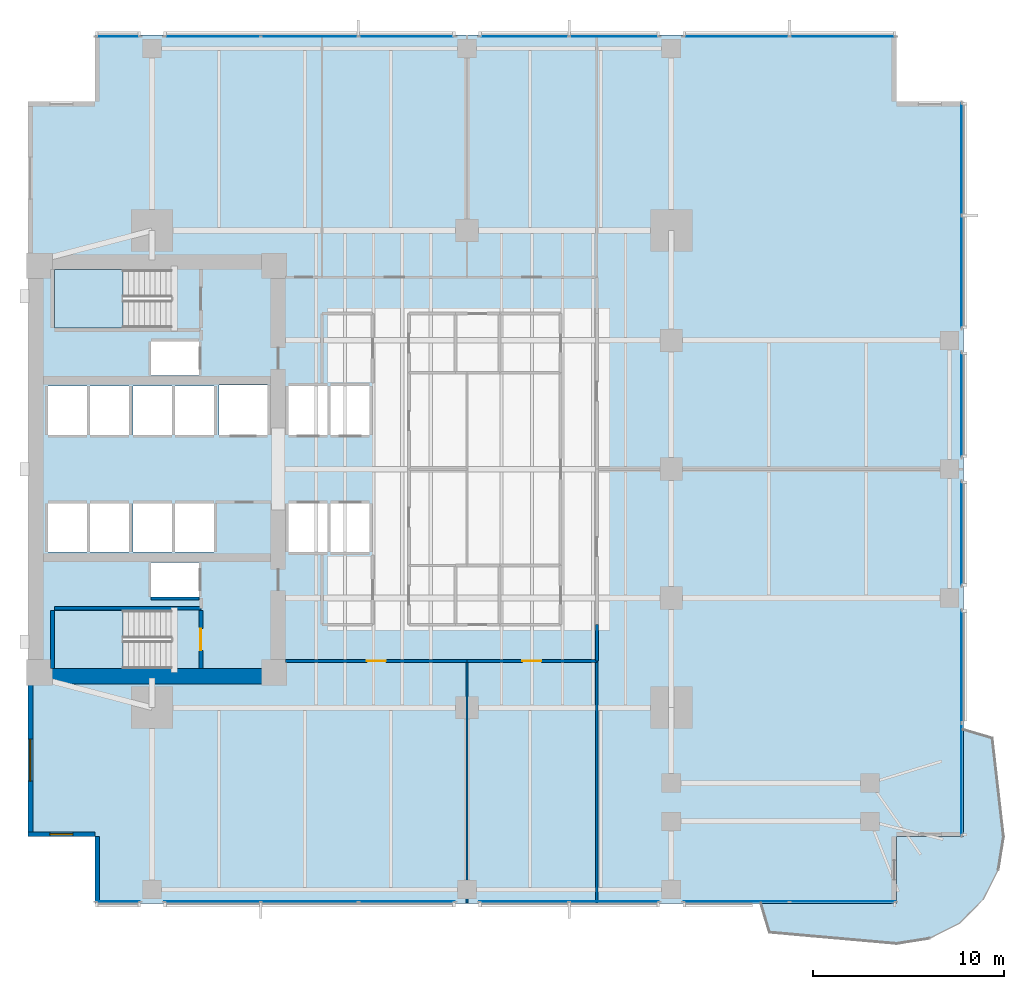
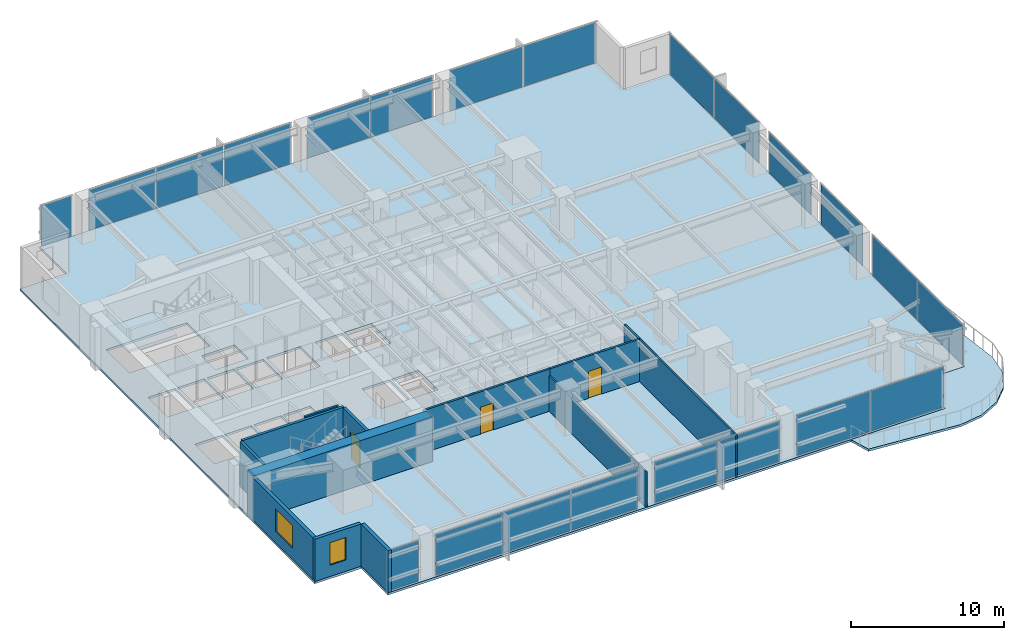
# One storey, part 7 of 15: 22 plates, 13 walls, 4 slabs, 3 doors, 2 windows, 5 openings, 14 elements without a shape of their own.
"""IFC4 building model written with IfcOpenShell, lengths in metres."""

from ifc_helpers import new_model, si_unit, direction, frame, frame_2d, origin, origin_2d, place, context, subcontext, project, spatial, polyline, rectangle, outline, extrude, material, layer, layer_set, type_object, element, fill, aggregate, save


model = new_model("IFC4")

# Units and contexts
model_context = context("Model", 3, precision=1e-05, world=origin(), true_north=direction((0.0, 1.0)))
body_context = subcontext(model_context, "Body", "Model", "MODEL_VIEW")
ifc_project = project(units=[si_unit("LENGTHUNIT", "METRE"), si_unit("AREAUNIT", "SQUARE_METRE"), si_unit("VOLUMEUNIT", "CUBIC_METRE"), si_unit("PLANEANGLEUNIT", "RADIAN"), si_unit("MASSUNIT", "GRAM", prefix="KILO")], contexts=[model_context])

# Site, building, storey
site_placement = place(None, origin())
site = spatial("IfcSite", under=ifc_project, at=site_placement, CompositionType="ELEMENT")
building_placement = place(site_placement, origin())
building = spatial("IfcBuilding", under=site, at=building_placement, Name="Kinhvarn Gate Tower", CompositionType="ELEMENT")
storey_placement = place(building_placement, frame((0.0, 0.0, 39.800048828125)))
storey = spatial("IfcBuildingStorey", under=building, at=storey_placement, Name="L09", CompositionType="ELEMENT", Elevation=39.800048828125)

# Curtain wall, plate
ifc_material_1 = material(Name="Anodised aluminium AW-6063", Category="aluminium")
ifc_layer_1 = layer(ifc_material_1, 0.179931640625)
ifc_layer_set_1 = layer_set([ifc_layer_1], Name="Anodised aluminium AW-6063")
curtain_wall_type = type_object("IfcCurtainWallType", Name="CW-SYS-2", PredefinedType="NOTDEFINED", material=ifc_layer_set_1)
curtain_wall_1_placement = place(storey_placement, origin())
curtain_wall_1 = element("IfcCurtainWall", 1, at=curtain_wall_1_placement, inside=storey, type_object=curtain_wall_type, Name="Curtain Wall CW2 (L09)", PredefinedType="NOTDEFINED")
ifc_material_2 = material(Name="Clear low-e double glazing", Category="glass")
ifc_layer_2 = layer(ifc_material_2, 0.031982421875)
ifc_layer_set_2 = layer_set([ifc_layer_2], Name="Clear low-e double glazing")
plate_type = type_object("IfcPlateType", Name="CW-PNL-VIS", PredefinedType="CURTAIN_PANEL", material=ifc_layer_set_2)
plate_1_placement = place(storey_placement, frame((9.2099609375, 2.590087890625, 0.070068359375), z_axis=(0.0, 0.0, 1.0), x_axis=(1.0, 0.0, 0.0)))
plate_1 = element("IfcPlate", 2, at=plate_1_placement, type_object=plate_type, Name="CW2 panel 1.1", PredefinedType="CURTAIN_PANEL", context=body_context, shape_type="SweptSolid", body=[
    extrude(rectangle(XDim=2.280029296875, YDim=0.031982421875, at=origin_2d()), origin(), (0.0, 0.0, 1.0), 3.22998046875),
])
aggregate(curtain_wall_1, [plate_1])

# Curtain wall, plates
curtain_wall_2_placement = place(storey_placement, origin())
curtain_wall_2 = element("IfcCurtainWall", 3, at=curtain_wall_2_placement, inside=storey, type_object=curtain_wall_type, Name="Curtain Wall CW2 (L09)", PredefinedType="NOTDEFINED")
plate_2_placement = place(storey_placement, frame((14.154052734375, 2.590087890625, 0.070068359375), z_axis=(0.0, 0.0, 1.0), x_axis=(1.0, 0.0, 0.0)))
plate_2 = element("IfcPlate", 4, at=plate_2_placement, type_object=plate_type, Name="CW2 panel 1.1", PredefinedType="CURTAIN_PANEL", context=body_context, shape_type="SweptSolid", body=[
    extrude(rectangle(XDim=5.00830078125, YDim=0.031982421875, at=origin_2d()), origin(), (0.0, 0.0, 1.0), 3.22998046875),
])
plate_3_placement = place(storey_placement, frame((19.25, 2.590087890625, 0.070068359375), z_axis=(0.0, 0.0, 1.0), x_axis=(1.0, 0.0, 0.0)))
plate_3 = element("IfcPlate", 5, at=plate_3_placement, type_object=plate_type, Name="CW2 panel 2.1", PredefinedType="CURTAIN_PANEL", context=body_context, shape_type="SweptSolid", body=[
    extrude(rectangle(XDim=5.043212890625, YDim=0.031982421875, at=origin_2d()), origin(), (0.0, 0.0, 1.0), 3.22998046875),
])
plate_4_placement = place(storey_placement, frame((24.345947265625, 2.590087890625, 0.070068359375), z_axis=(0.0, 0.0, 1.0), x_axis=(1.0, 0.0, 0.0)))
plate_4 = element("IfcPlate", 6, at=plate_4_placement, type_object=plate_type, Name="CW2 panel 3.1", PredefinedType="CURTAIN_PANEL", context=body_context, shape_type="SweptSolid", body=[
    extrude(rectangle(XDim=5.00830078125, YDim=0.031982421875, at=origin_2d()), origin(), (0.0, 0.0, 1.0), 3.22998046875),
])
aggregate(curtain_wall_2, [plate_2, plate_3, plate_4])

curtain_wall_3_placement = place(storey_placement, origin())
curtain_wall_3 = element("IfcCurtainWall", 7, at=curtain_wall_3_placement, inside=storey, type_object=curtain_wall_type, Name="Curtain Wall CW2 (L09)", PredefinedType="NOTDEFINED")
plate_5_placement = place(storey_placement, frame((30.482421875, 2.590087890625, 0.070068359375), z_axis=(0.0, 0.0, 1.0), x_axis=(1.0, 0.0, 0.0)))
plate_5 = element("IfcPlate", 8, at=plate_5_placement, type_object=plate_type, Name="CW2 panel 1.1", PredefinedType="CURTAIN_PANEL", context=body_context, shape_type="SweptSolid", body=[
    extrude(rectangle(XDim=4.6650390625, YDim=0.031982421875, at=origin_2d()), origin(), (0.0, 0.0, 1.0), 3.22998046875),
])
plate_6_placement = place(storey_placement, frame((35.217529296875, 2.590087890625, 0.070068359375), z_axis=(0.0, 0.0, 1.0), x_axis=(1.0, 0.0, 0.0)))
plate_6 = element("IfcPlate", 9, at=plate_6_placement, type_object=plate_type, Name="CW2 panel 2.1", PredefinedType="CURTAIN_PANEL", context=body_context, shape_type="SweptSolid", body=[
    extrude(rectangle(XDim=4.6650390625, YDim=0.031982421875, at=origin_2d()), origin(), (0.0, 0.0, 1.0), 3.22998046875),
])
aggregate(curtain_wall_3, [plate_5, plate_6])

curtain_wall_4_placement = place(storey_placement, origin())
curtain_wall_4 = element("IfcCurtainWall", 10, at=curtain_wall_4_placement, inside=storey, type_object=curtain_wall_type, Name="Curtain Wall CW2 (L09)", PredefinedType="NOTDEFINED")
plate_7_placement = place(storey_placement, frame((41.6025390625, 2.590087890625, 0.070068359375), z_axis=(0.0, 0.0, 1.0), x_axis=(1.0, 0.0, 0.0)))
plate_7 = element("IfcPlate", 11, at=plate_7_placement, type_object=plate_type, Name="CW2 panel 1.1", PredefinedType="CURTAIN_PANEL", context=body_context, shape_type="SweptSolid", body=[
    extrude(rectangle(XDim=5.5048828125, YDim=0.031982421875, at=origin_2d()), origin(), (0.0, 0.0, 1.0), 3.22998046875),
])
plate_8_placement = place(storey_placement, frame((47.177490234375, 2.590087890625, 0.070068359375), z_axis=(0.0, 0.0, 1.0), x_axis=(1.0, 0.0, 0.0)))
plate_8 = element("IfcPlate", 12, at=plate_8_placement, type_object=plate_type, Name="CW2 panel 2.1", PredefinedType="CURTAIN_PANEL", context=body_context, shape_type="SweptSolid", body=[
    extrude(rectangle(XDim=5.5048828125, YDim=0.031982421875, at=origin_2d()), origin(), (0.0, 0.0, 1.0), 3.22998046875),
])
aggregate(curtain_wall_4, [plate_7, plate_8])

curtain_wall_5_placement = place(storey_placement, origin())
curtain_wall_5 = element("IfcCurtainWall", 13, at=curtain_wall_5_placement, inside=storey, type_object=curtain_wall_type, Name="Curtain Wall CW2 (L09)", PredefinedType="NOTDEFINED")
plate_9_placement = place(storey_placement, frame((47.177490234375, 47.909912109375, 0.070068359375), z_axis=(0.0, 0.0, 1.0), x_axis=(-1.0, 0.0, 0.0)))
plate_9 = element("IfcPlate", 14, at=plate_9_placement, type_object=plate_type, Name="CW2 panel 1.1", PredefinedType="CURTAIN_PANEL", context=body_context, shape_type="SweptSolid", body=[
    extrude(rectangle(XDim=5.5048828125, YDim=0.031982421875, at=origin_2d()), origin(), (0.0, 0.0, 1.0), 3.22998046875),
])
plate_10_placement = place(storey_placement, frame((41.6025390625, 47.909912109375, 0.070068359375), z_axis=(0.0, 0.0, 1.0), x_axis=(-1.0, 0.0, 0.0)))
plate_10 = element("IfcPlate", 15, at=plate_10_placement, type_object=plate_type, Name="CW2 panel 2.1", PredefinedType="CURTAIN_PANEL", context=body_context, shape_type="SweptSolid", body=[
    extrude(rectangle(XDim=5.5048828125, YDim=0.031982421875, at=origin_2d()), origin(), (0.0, 0.0, 1.0), 3.22998046875),
])
aggregate(curtain_wall_5, [plate_9, plate_10])

curtain_wall_6_placement = place(storey_placement, origin())
curtain_wall_6 = element("IfcCurtainWall", 16, at=curtain_wall_6_placement, inside=storey, type_object=curtain_wall_type, Name="Curtain Wall CW2 (L09)", PredefinedType="NOTDEFINED")
plate_11_placement = place(storey_placement, frame((35.217529296875, 47.909912109375, 0.070068359375), z_axis=(0.0, 0.0, 1.0), x_axis=(-1.0, 0.0, 0.0)))
plate_11 = element("IfcPlate", 17, at=plate_11_placement, type_object=plate_type, Name="CW2 panel 1.1", PredefinedType="CURTAIN_PANEL", context=body_context, shape_type="SweptSolid", body=[
    extrude(rectangle(XDim=4.6650390625, YDim=0.031982421875, at=origin_2d()), origin(), (0.0, 0.0, 1.0), 3.22998046875),
])
plate_12_placement = place(storey_placement, frame((30.482421875, 47.909912109375, 0.070068359375), z_axis=(0.0, 0.0, 1.0), x_axis=(-1.0, 0.0, 0.0)))
plate_12 = element("IfcPlate", 18, at=plate_12_placement, type_object=plate_type, Name="CW2 panel 2.1", PredefinedType="CURTAIN_PANEL", context=body_context, shape_type="SweptSolid", body=[
    extrude(rectangle(XDim=4.6650390625, YDim=0.031982421875, at=origin_2d()), origin(), (0.0, 0.0, 1.0), 3.22998046875),
])
aggregate(curtain_wall_6, [plate_11, plate_12])

curtain_wall_7_placement = place(storey_placement, origin())
curtain_wall_7 = element("IfcCurtainWall", 19, at=curtain_wall_7_placement, inside=storey, type_object=curtain_wall_type, Name="Curtain Wall CW2 (L09)", PredefinedType="NOTDEFINED")
plate_13_placement = place(storey_placement, frame((24.345947265625, 47.909912109375, 0.070068359375), z_axis=(0.0, 0.0, 1.0), x_axis=(-1.0, 0.0, 0.0)))
plate_13 = element("IfcPlate", 20, at=plate_13_placement, type_object=plate_type, Name="CW2 panel 1.1", PredefinedType="CURTAIN_PANEL", context=body_context, shape_type="SweptSolid", body=[
    extrude(rectangle(XDim=5.00830078125, YDim=0.031982421875, at=origin_2d()), origin(), (0.0, 0.0, 1.0), 3.22998046875),
])
plate_14_placement = place(storey_placement, frame((19.25, 47.909912109375, 0.070068359375), z_axis=(0.0, 0.0, 1.0), x_axis=(-1.0, 0.0, 0.0)))
plate_14 = element("IfcPlate", 21, at=plate_14_placement, type_object=plate_type, Name="CW2 panel 2.1", PredefinedType="CURTAIN_PANEL", context=body_context, shape_type="SweptSolid", body=[
    extrude(rectangle(XDim=5.043212890625, YDim=0.031982421875, at=origin_2d()), origin(), (0.0, 0.0, 1.0), 3.22998046875),
])
plate_15_placement = place(storey_placement, frame((14.154052734375, 47.909912109375, 0.070068359375), z_axis=(0.0, 0.0, 1.0), x_axis=(-1.0, 0.0, 0.0)))
plate_15 = element("IfcPlate", 22, at=plate_15_placement, type_object=plate_type, Name="CW2 panel 3.1", PredefinedType="CURTAIN_PANEL", context=body_context, shape_type="SweptSolid", body=[
    extrude(rectangle(XDim=5.00830078125, YDim=0.031982421875, at=origin_2d()), origin(), (0.0, 0.0, 1.0), 3.22998046875),
])
aggregate(curtain_wall_7, [plate_13, plate_14, plate_15])

# Curtain wall, plate
curtain_wall_8_placement = place(storey_placement, origin())
curtain_wall_8 = element("IfcCurtainWall", 23, at=curtain_wall_8_placement, inside=storey, type_object=curtain_wall_type, Name="Curtain Wall CW2 (L09)", PredefinedType="NOTDEFINED")
plate_16_placement = place(storey_placement, frame((9.2099609375, 47.909912109375, 0.070068359375), z_axis=(0.0, 0.0, 1.0), x_axis=(-1.0, 0.0, 0.0)))
plate_16 = element("IfcPlate", 24, at=plate_16_placement, type_object=plate_type, Name="CW2 panel 1.1", PredefinedType="CURTAIN_PANEL", context=body_context, shape_type="SweptSolid", body=[
    extrude(rectangle(XDim=2.280029296875, YDim=0.031982421875, at=origin_2d()), origin(), (0.0, 0.0, 1.0), 3.22998046875),
])
aggregate(curtain_wall_8, [plate_16])

# Curtain wall, plates
curtain_wall_9_placement = place(storey_placement, origin())
curtain_wall_9 = element("IfcCurtainWall", 25, at=curtain_wall_9_placement, inside=storey, type_object=curtain_wall_type, Name="Curtain Wall CW2 (L09)", PredefinedType="NOTDEFINED")
plate_17_placement = place(storey_placement, frame((53.409912109375, 8.99755859375, 0.070068359375), z_axis=(0.0, 0.0, 1.0), x_axis=(0.0, 1.0, 0.0)))
plate_17 = element("IfcPlate", 26, at=plate_17_placement, type_object=plate_type, Name="CW2 panel 1.1", PredefinedType="CURTAIN_PANEL", context=body_context, shape_type="SweptSolid", body=[
    extrude(rectangle(XDim=5.85498046875, YDim=0.031982421875, at=origin_2d()), origin(), (0.0, 0.0, 1.0), 3.22998046875),
])
plate_18_placement = place(storey_placement, frame((53.409912109375, 14.922607421875, 0.070068359375), z_axis=(0.0, 0.0, 1.0), x_axis=(0.0, 1.0, 0.0)))
plate_18 = element("IfcPlate", 27, at=plate_18_placement, type_object=plate_type, Name="CW2 panel 2.1", PredefinedType="CURTAIN_PANEL", context=body_context, shape_type="SweptSolid", body=[
    extrude(rectangle(XDim=5.85498046875, YDim=0.031982421875, at=origin_2d()), origin(), (0.0, 0.0, 1.0), 3.22998046875),
])
aggregate(curtain_wall_9, [plate_17, plate_18])

# Curtain wall, plate
curtain_wall_10_placement = place(storey_placement, origin())
curtain_wall_10 = element("IfcCurtainWall", 28, at=curtain_wall_10_placement, inside=storey, type_object=curtain_wall_type, Name="Curtain Wall CW2 (L09)", PredefinedType="NOTDEFINED")
plate_19_placement = place(storey_placement, frame((53.409912109375, 21.875, 0.070068359375), z_axis=(0.0, 0.0, 1.0), x_axis=(0.0, 1.0, 0.0)))
plate_19 = element("IfcPlate", 29, at=plate_19_placement, type_object=plate_type, Name="CW2 panel 1.1", PredefinedType="CURTAIN_PANEL", context=body_context, shape_type="SweptSolid", body=[
    extrude(rectangle(XDim=5.449951171875, YDim=0.031982421875, at=origin_2d()), origin(), (0.0, 0.0, 1.0), 3.22998046875),
])
aggregate(curtain_wall_10, [plate_19])

curtain_wall_11_placement = place(storey_placement, origin())
curtain_wall_11 = element("IfcCurtainWall", 30, at=curtain_wall_11_placement, inside=storey, type_object=curtain_wall_type, Name="Curtain Wall CW2 (L09)", PredefinedType="NOTDEFINED")
plate_20_placement = place(storey_placement, frame((53.409912109375, 28.625, 0.070068359375), z_axis=(0.0, 0.0, 1.0), x_axis=(0.0, 1.0, 0.0)))
plate_20 = element("IfcPlate", 31, at=plate_20_placement, type_object=plate_type, Name="CW2 panel 1.1", PredefinedType="CURTAIN_PANEL", context=body_context, shape_type="SweptSolid", body=[
    extrude(rectangle(XDim=5.449951171875, YDim=0.031982421875, at=origin_2d()), origin(), (0.0, 0.0, 1.0), 3.22998046875),
])
aggregate(curtain_wall_11, [plate_20])

# Curtain wall, plates
curtain_wall_12_placement = place(storey_placement, origin())
curtain_wall_12 = element("IfcCurtainWall", 32, at=curtain_wall_12_placement, inside=storey, type_object=curtain_wall_type, Name="Curtain Wall CW2 (L09)", PredefinedType="NOTDEFINED")
plate_21_placement = place(storey_placement, frame((53.409912109375, 35.577392578125, 0.070068359375), z_axis=(0.0, 0.0, 1.0), x_axis=(0.0, 1.0, 0.0)))
plate_21 = element("IfcPlate", 33, at=plate_21_placement, type_object=plate_type, Name="CW2 panel 1.1", PredefinedType="CURTAIN_PANEL", context=body_context, shape_type="SweptSolid", body=[
    extrude(rectangle(XDim=5.85498046875, YDim=0.031982421875, at=origin_2d()), origin(), (0.0, 0.0, 1.0), 3.22998046875),
])
plate_22_placement = place(storey_placement, frame((53.409912109375, 41.50244140625, 0.070068359375), z_axis=(0.0, 0.0, 1.0), x_axis=(0.0, 1.0, 0.0)))
plate_22 = element("IfcPlate", 34, at=plate_22_placement, type_object=plate_type, Name="CW2 panel 2.1", PredefinedType="CURTAIN_PANEL", context=body_context, shape_type="SweptSolid", body=[
    extrude(rectangle(XDim=5.85498046875, YDim=0.031982421875, at=origin_2d()), origin(), (0.0, 0.0, 1.0), 3.22998046875),
])
aggregate(curtain_wall_12, [plate_21, plate_22])

# Slabs
ifc_material_3 = material(Name="Precast white architectural concrete C40/50", Category="concrete")
ifc_layer_3 = layer(ifc_material_3, 0.179931640625)
ifc_layer_set_3 = layer_set([ifc_layer_3], Name="Precast white architectural concrete C40/50")
slab_type_1 = type_object("IfcSlabType", Name="SLB-BAL-180", PredefinedType="FLOOR", material=ifc_layer_set_3)
slab_1_placement = place(storey_placement, frame((0.0, 0.0, -0.179931640625)))
element("IfcSlab", 35, at=slab_1_placement, inside=storey, type_object=slab_type_1, Name="S-Carve Curved Terrace Balcony Slab L09 (SE)", PredefinedType="FLOOR", context=body_context, shape_type="SweptSolid", body=[
    extrude(outline(polyline([(42.90087890625, 2.5), (43.35107421875, 0.98291015625), (50.0, 0.39306640625), (51.732666015625, 0.66748046875), (53.295654296875, 1.4638671875), (54.5361328125, 2.704345703125), (55.33251953125, 4.267333984375), (55.60693359375, 6.0), (55.01708984375, 11.15087890625), (53.5, 11.60107421875), (53.5, 6.0), (50.0, 6.0), (50.0, 2.5), (42.90087890625, 2.5)])), origin(), (0.0, 0.0, 1.0), 0.179931640625),
])
ifc_material_4 = material(Name="Concrete C40/50", Category="concrete")
ifc_layer_4 = layer(ifc_material_4, 0.179931640625)
ifc_layer_set_4 = layer_set([ifc_layer_4], Name="Concrete C40/50")
slab_type_2 = type_object("IfcSlabType", Name="SLB-FLR-180", PredefinedType="FLOOR", material=ifc_layer_set_4)
slab_2_placement = place(storey_placement, frame((0.0, 0.0, -0.179931640625)))
element("IfcSlab", 36, at=slab_2_placement, inside=storey, type_object=slab_type_2, Name="Suspended Floor Slab L09", PredefinedType="FLOOR", context=body_context, shape_type="SweptSolid", body=[
    extrude(outline(polyline([(8.0, 2.5), (50.0, 2.5), (50.0, 6.0), (53.5, 6.0), (53.5, 44.5), (50.0, 44.5), (50.0, 48.0), (8.0, 48.0), (8.0, 44.5), (4.5, 44.5), (4.5, 6.0), (8.0, 6.0), (8.0, 2.5)]), holes=[polyline([(5.89990234375, 14.800048828125), (12.0, 14.800048828125), (12.0, 17.85009765625), (5.89990234375, 17.85009765625), (5.89990234375, 14.800048828125)]), polyline([(5.89990234375, 32.64990234375), (12.0, 32.64990234375), (12.0, 35.699951171875), (5.89990234375, 35.699951171875), (5.89990234375, 32.64990234375)]), polyline([(18.14990234375, 20.89990234375), (20.199951171875, 20.89990234375), (20.199951171875, 23.449951171875), (18.14990234375, 23.449951171875), (18.14990234375, 20.89990234375)]), polyline([(20.35009765625, 20.89990234375), (22.39990234375, 20.89990234375), (22.39990234375, 23.449951171875), (20.35009765625, 23.449951171875), (20.35009765625, 20.89990234375)]), polyline([(18.14990234375, 27.050048828125), (20.199951171875, 27.050048828125), (20.199951171875, 29.60009765625), (18.14990234375, 29.60009765625), (18.14990234375, 27.050048828125)]), polyline([(20.35009765625, 27.050048828125), (22.39990234375, 27.050048828125), (22.39990234375, 29.60009765625), (20.35009765625, 29.60009765625), (20.35009765625, 27.050048828125)]), polyline([(5.550048828125, 20.89990234375), (7.60009765625, 20.89990234375), (7.60009765625, 23.449951171875), (5.550048828125, 23.449951171875), (5.550048828125, 20.89990234375)]), polyline([(7.75, 20.89990234375), (9.800048828125, 20.89990234375), (9.800048828125, 23.449951171875), (7.75, 23.449951171875), (7.75, 20.89990234375)]), polyline([(5.550048828125, 27.050048828125), (7.60009765625, 27.050048828125), (7.60009765625, 29.60009765625), (5.550048828125, 29.60009765625), (5.550048828125, 27.050048828125)]), polyline([(7.75, 27.050048828125), (9.800048828125, 27.050048828125), (9.800048828125, 29.60009765625), (7.75, 29.60009765625), (7.75, 27.050048828125)]), polyline([(10.0, 20.89990234375), (12.050048828125, 20.89990234375), (12.050048828125, 23.449951171875), (10.0, 23.449951171875), (10.0, 20.89990234375)]), polyline([(12.199951171875, 20.89990234375), (14.25, 20.89990234375), (14.25, 23.449951171875), (12.199951171875, 23.449951171875), (12.199951171875, 20.89990234375)]), polyline([(10.0, 27.050048828125), (12.050048828125, 27.050048828125), (12.050048828125, 29.60009765625), (10.0, 29.60009765625), (10.0, 27.050048828125)]), polyline([(12.199951171875, 27.050048828125), (14.25, 27.050048828125), (14.25, 29.60009765625), (12.199951171875, 29.60009765625), (12.199951171875, 27.050048828125)]), polyline([(14.5, 27.050048828125), (17.050048828125, 27.050048828125), (17.050048828125, 29.64990234375), (14.5, 29.64990234375), (14.5, 27.050048828125)]), polyline([(10.949951171875, 18.550048828125), (13.449951171875, 18.550048828125), (13.449951171875, 20.35009765625), (10.949951171875, 20.35009765625), (10.949951171875, 18.550048828125)]), polyline([(10.949951171875, 30.14990234375), (13.449951171875, 30.14990234375), (13.449951171875, 31.949951171875), (10.949951171875, 31.949951171875), (10.949951171875, 30.14990234375)])]), origin(), (0.0, 0.0, 1.0), 0.179931640625),
])

# Stair, slab
stair_type = type_object("IfcStairType", Name="STR-DLG-178", PredefinedType="HALF_TURN_STAIR", material=ifc_material_4)
stair_1_placement = place(storey_placement, origin())
stair_1 = element("IfcStair", 37, at=stair_1_placement, inside=storey, type_object=stair_type, Name="L09 Core Smokeproof Exit Stair ST1", PredefinedType="HALF_TURN_STAIR")
ifc_layer_5 = layer(ifc_material_4, 0.199951171875)
ifc_layer_set_5 = layer_set([ifc_layer_5], Name="Concrete C40/50")
slab_type_3 = type_object("IfcSlabType", Name="SLB-ST-LND", PredefinedType="LANDING", material=ifc_layer_set_5)
slab_3_placement = place(storey_placement, frame((0.0, 0.0, 1.574951171875)))
slab_3 = element("IfcSlab", 38, at=slab_3_placement, type_object=slab_type_3, Name="ST1 landing 1", PredefinedType="LANDING", context=body_context, shape_type="SweptSolid", body=[
    extrude(outline(polyline([(9.47998046875, 17.85009765625), (5.89990234375, 17.85009765625), (5.89990234375, 14.800048828125), (9.47998046875, 14.800048828125), (9.47998046875, 17.85009765625)])), origin(), (0.0, 0.0, 1.0), 0.199951171875),
])
aggregate(stair_1, [slab_3])

stair_2_placement = place(storey_placement, origin())
stair_2 = element("IfcStair", 39, at=stair_2_placement, inside=storey, type_object=stair_type, Name="L09 Core Smokeproof Exit Stair ST2", PredefinedType="HALF_TURN_STAIR")
slab_4_placement = place(storey_placement, frame((0.0, 0.0, 1.574951171875)))
slab_4 = element("IfcSlab", 40, at=slab_4_placement, type_object=slab_type_3, Name="ST2 landing 1", PredefinedType="LANDING", context=body_context, shape_type="SweptSolid", body=[
    extrude(outline(polyline([(9.47998046875, 35.699951171875), (5.89990234375, 35.699951171875), (5.89990234375, 32.64990234375), (9.47998046875, 32.64990234375), (9.47998046875, 35.699951171875)])), origin(), (0.0, 0.0, 1.0), 0.199951171875),
])
aggregate(stair_2, [slab_4])

# Wall
ifc_material_5 = material(Name="Concrete C70/85", Category="concrete")
ifc_layer_6 = layer(ifc_material_5, 0.800048828125)
ifc_layer_set_6 = layer_set([ifc_layer_6], Name="Concrete C70/85")
wall_type_1 = type_object("IfcWallType", Name="WL-CORE-800", PredefinedType="SHEAR", material=ifc_layer_set_6)
wall_1_placement = place(storey_placement, frame((4.5, 14.39990234375, 0.0), z_axis=(0.0, 0.0, 1.0), x_axis=(1.0, 0.0, 0.0)))
element("IfcWall", 41, at=wall_1_placement, inside=storey, type_object=wall_type_1, Name="Core South Shear Wall L09 800 mm", PredefinedType="SHEAR", context=body_context, shape_type="SweptSolid", body=[
    extrude(rectangle(XDim=13.5, YDim=0.800048828125, at=frame_2d((6.75, 0.0))), origin(), (0.0, 0.0, 1.0), 3.550048828125),
])

# Wall, opening, window
ifc_material_6 = material(Name="Fired architectural terracotta", Category="masonry")
ifc_layer_7 = layer(ifc_material_6, 0.25)
ifc_layer_set_7 = layer_set([ifc_layer_7], Name="Fired architectural terracotta")
wall_type_2 = type_object("IfcWallType", Name="WL-EXT-250", PredefinedType="SOLIDWALL", material=ifc_layer_set_7)
wall_2_placement = place(storey_placement, frame((4.625, 14.0, 0.0), z_axis=(0.0, 0.0, 1.0), x_axis=(0.0, -1.0, 0.0)))
wall_2 = element("IfcWall", 42, at=wall_2_placement, inside=storey, type_object=wall_type_2, Name="Exterior Solidwall Wall EW-250 (L09 West-South)", PredefinedType="SOLIDWALL", context=body_context, shape_type="SweptSolid", body=[
    extrude(rectangle(XDim=8.0, YDim=0.25, at=frame_2d((4.0, 0.0))), origin(), (0.0, 0.0, 1.0), 3.369873046875),
])
opening_1_placement = place(wall_2_placement, frame((2.89990234375, 0.0, 0.89990234375)))
opening_1 = element("IfcOpeningElement", 43, at=opening_1_placement, cuts=wall_2, Name="Opening WN-01", PredefinedType="OPENING", context=body_context, shape_type="SweptSolid", body=[
    extrude(rectangle(XDim=2.199951171875, YDim=1.800048828125, at=frame_2d((1.10009765625, 0.89990234375))), frame((0.0, 0.135009765625, 0.0), z_axis=(0.0, -1.0, 0.0), x_axis=(1.0, 0.0, 0.0)), (0.0, 0.0, 1.0), 0.27001953125),
])
window_type_1 = type_object("IfcWindowType", Name="WIN-RIB-2200", PartitioningType="SINGLE_PANEL", PredefinedType="WINDOW", material=ifc_material_2)
window_1_placement = place(opening_1_placement, origin())
window_1 = element("IfcWindow", 44, at=window_1_placement, inside=storey, type_object=window_type_1, Name="West Flank Double-Glazed Ribbon Window 2200x1800 mm (L09)", OverallHeight=1.800048828125, OverallWidth=2.199951171875, PartitioningType="SINGLE_PANEL", PredefinedType="WINDOW", context=body_context, shape_type="SweptSolid", body=[
    extrude(rectangle(XDim=2.199951171875, YDim=1.800048828125, at=frame_2d((1.10009765625, 0.89990234375))), frame((0.0, 0.030029296875, 0.0), z_axis=(0.0, -1.0, 0.0), x_axis=(1.0, 0.0, 0.0)), (0.0, 0.0, 1.0), 0.06005859375),
])
fill(opening_1, window_1)

wall_3_placement = place(storey_placement, frame((4.5, 6.125, 0.0), z_axis=(0.0, 0.0, 1.0), x_axis=(1.0, 0.0, 0.0)))
wall_3 = element("IfcWall", 45, at=wall_3_placement, inside=storey, type_object=wall_type_2, Name="Exterior Solidwall Wall EW-250 (L09 SW-Notch-1)", PredefinedType="SOLIDWALL", context=body_context, shape_type="SweptSolid", body=[
    extrude(rectangle(XDim=3.5, YDim=0.25, at=frame_2d((1.75, 0.0))), origin(), (0.0, 0.0, 1.0), 3.369873046875),
])
opening_2_placement = place(wall_3_placement, frame((1.14990234375, 0.0, 0.89990234375)))
opening_2 = element("IfcOpeningElement", 46, at=opening_2_placement, cuts=wall_3, Name="Opening WN-02", PredefinedType="OPENING", context=body_context, shape_type="SweptSolid", body=[
    extrude(rectangle(XDim=1.199951171875, YDim=1.800048828125, at=frame_2d((0.60009765625, 0.89990234375))), frame((0.0, 0.135009765625, 0.0), z_axis=(0.0, -1.0, 0.0), x_axis=(1.0, 0.0, 0.0)), (0.0, 0.0, 1.0), 0.27001953125),
])
window_type_2 = type_object("IfcWindowType", Name="WIN-NTC-1200", PartitioningType="SINGLE_PANEL", PredefinedType="WINDOW", material=ifc_material_2)
window_2_placement = place(opening_2_placement, origin())
window_2 = element("IfcWindow", 47, at=window_2_placement, inside=storey, type_object=window_type_2, Name="Recessed Corner Notch Punched Window 1200x1800 mm (L09)", OverallHeight=1.800048828125, OverallWidth=1.199951171875, PartitioningType="SINGLE_PANEL", PredefinedType="WINDOW", context=body_context, shape_type="SweptSolid", body=[
    extrude(rectangle(XDim=1.199951171875, YDim=1.800048828125, at=frame_2d((0.60009765625, 0.89990234375))), frame((0.0, 0.030029296875, 0.0), z_axis=(0.0, -1.0, 0.0), x_axis=(1.0, 0.0, 0.0)), (0.0, 0.0, 1.0), 0.06005859375),
])
fill(opening_2, window_2)

# Walls
wall_4_placement = place(storey_placement, frame((8.125, 6.0, 0.0), z_axis=(0.0, 0.0, 1.0), x_axis=(0.0, -1.0, 0.0)))
element("IfcWall", 48, at=wall_4_placement, inside=storey, type_object=wall_type_2, Name="Exterior Solidwall Wall EW-250 (L09 SW-Notch-2)", PredefinedType="SOLIDWALL", context=body_context, shape_type="SweptSolid", body=[
    extrude(rectangle(XDim=3.5, YDim=0.25, at=frame_2d((1.75, 0.0))), origin(), (0.0, 0.0, 1.0), 3.369873046875),
])
ifc_material_7 = material(Name="Gypsum acoustic partition board")
ifc_layer_8 = layer(ifc_material_7, 0.1201171875)
ifc_layer_set_8 = layer_set([ifc_layer_8], Name="Gypsum acoustic partition board")
wall_type_3 = type_object("IfcWallType", Name="WL-PRT-120", PredefinedType="PARTITIONING", material=ifc_layer_set_8)
wall_5_placement = place(storey_placement, frame((27.5, 2.510009765625, 0.0), z_axis=(0.0, 0.0, 1.0), x_axis=(0.0, 1.0, 0.0)))
element("IfcWall", 49, at=wall_5_placement, inside=storey, type_object=wall_type_3, Name="Interior Partition PW-120 (L09)", PredefinedType="PARTITIONING", context=body_context, shape_type="SweptSolid", body=[
    extrude(rectangle(XDim=12.68994140625, YDim=0.1201171875, at=frame_2d((6.344970703125, 0.0))), origin(), (0.0, 0.0, 1.0), 2.820068359375),
])
wall_6_placement = place(storey_placement, frame((34.300048828125, 2.510009765625, 0.0), z_axis=(0.0, 0.0, 1.0), x_axis=(0.0, 1.0, 0.0)))
element("IfcWall", 50, at=wall_6_placement, inside=storey, type_object=wall_type_3, Name="Interior Partition PW-120 (L09)", PredefinedType="PARTITIONING", context=body_context, shape_type="SweptSolid", body=[
    extrude(rectangle(XDim=12.68994140625, YDim=0.1201171875, at=frame_2d((6.344970703125, 0.0))), origin(), (0.0, 0.0, 1.0), 3.369873046875),
])

# Wall, opening, door
ifc_layer_9 = layer(ifc_material_7, 0.14990234375)
ifc_layer_set_9 = layer_set([ifc_layer_9], Name="Gypsum acoustic partition board")
wall_type_4 = type_object("IfcWallType", Name="WL-PRT-150F", PredefinedType="PARTITIONING", material=ifc_layer_set_9)
wall_7_placement = place(storey_placement, frame((18.0, 15.199951171875, 0.0), z_axis=(0.0, 0.0, 1.0), x_axis=(1.0, 0.0, 0.0)))
wall_7 = element("IfcWall", 51, at=wall_7_placement, inside=storey, type_object=wall_type_4, Name="Interior Partition PW-150F (L09)", PredefinedType="PARTITIONING", context=body_context, shape_type="SweptSolid", body=[
    extrude(rectangle(XDim=9.5, YDim=0.14990234375, at=frame_2d((4.75, 0.0))), origin(), (0.0, 0.0, 1.0), 3.369873046875),
])
opening_3_placement = place(wall_7_placement, frame((4.25, 0.0, 0.0)))
opening_3 = element("IfcOpeningElement", 52, at=opening_3_placement, cuts=wall_7, Name="Opening ID-02", PredefinedType="OPENING", context=body_context, shape_type="SweptSolid", body=[
    extrude(rectangle(XDim=1.0, YDim=2.14990234375, at=frame_2d((0.5, 1.074951171875))), frame((0.0, 0.0849609375, 0.0), z_axis=(0.0, -1.0, 0.0), x_axis=(1.0, 0.0, 0.0)), (0.0, 0.0, 1.0), 0.169921875),
])
door_type_1 = type_object("IfcDoorType", Name="DR-INT-1000", OperationType="NOTDEFINED", PredefinedType="DOOR", material=ifc_material_1)
door_1_placement = place(opening_3_placement, origin())
door_1 = element("IfcDoor", 53, at=door_1_placement, inside=storey, type_object=door_type_1, Name="Standard Office & Meeting Room Door 1000x2150 mm (L09)", OperationType="SINGLE_SWING_RIGHT", OverallHeight=2.14990234375, OverallWidth=1.0, PredefinedType="DOOR", context=body_context, shape_type="SweptSolid", body=[
    extrude(rectangle(XDim=1.0, YDim=2.14990234375, at=frame_2d((0.5, 1.074951171875))), frame((0.0, 0.02490234375, 0.0), z_axis=(0.0, -1.0, 0.0), x_axis=(1.0, 0.0, 0.0)), (0.0, 0.0, 1.0), 0.050048828125),
])
fill(opening_3, door_1)

wall_8_placement = place(storey_placement, frame((27.5, 15.199951171875, 0.0), z_axis=(0.0, 0.0, 1.0), x_axis=(1.0, 0.0, 0.0)))
wall_8 = element("IfcWall", 54, at=wall_8_placement, inside=storey, type_object=wall_type_4, Name="Interior Partition PW-150F (L09)", PredefinedType="PARTITIONING", context=body_context, shape_type="SweptSolid", body=[
    extrude(rectangle(XDim=6.800048828125, YDim=0.14990234375, at=frame_2d((3.39990234375, 0.0))), origin(), (0.0, 0.0, 1.0), 3.369873046875),
])
opening_4_placement = place(wall_8_placement, frame((2.89990234375, 0.0, 0.0)))
opening_4 = element("IfcOpeningElement", 55, at=opening_4_placement, cuts=wall_8, Name="Opening ID-02", PredefinedType="OPENING", context=body_context, shape_type="SweptSolid", body=[
    extrude(rectangle(XDim=1.0, YDim=2.14990234375, at=frame_2d((0.5, 1.074951171875))), frame((0.0, 0.0849609375, 0.0), z_axis=(0.0, -1.0, 0.0), x_axis=(1.0, 0.0, 0.0)), (0.0, 0.0, 1.0), 0.169921875),
])
door_2_placement = place(opening_4_placement, origin())
door_2 = element("IfcDoor", 56, at=door_2_placement, inside=storey, type_object=door_type_1, Name="Standard Office & Meeting Room Door 1000x2150 mm (L09)", OperationType="SINGLE_SWING_LEFT", OverallHeight=2.14990234375, OverallWidth=1.0, PredefinedType="DOOR", context=body_context, shape_type="SweptSolid", body=[
    extrude(rectangle(XDim=1.0, YDim=2.14990234375, at=frame_2d((0.5, 1.074951171875))), frame((0.0, 0.02490234375, 0.0), z_axis=(0.0, -1.0, 0.0), x_axis=(1.0, 0.0, 0.0)), (0.0, 0.0, 1.0), 0.050048828125),
])
fill(opening_4, door_2)

# Walls
wall_9_placement = place(storey_placement, frame((34.300048828125, 15.199951171875, 0.0), z_axis=(0.0, 0.0, 1.0), x_axis=(0.0, 1.0, 0.0)))
element("IfcWall", 57, at=wall_9_placement, inside=storey, type_object=wall_type_4, Name="Interior Partition PW-150F (L09)", PredefinedType="PARTITIONING", context=body_context, shape_type="SweptSolid", body=[
    extrude(rectangle(XDim=1.900146484375, YDim=0.14990234375, at=frame_2d((0.9501953125, 0.0))), origin(), (0.0, 0.0, 1.0), 3.369873046875),
])
ifc_layer_10 = layer(ifc_material_7, 0.14990234375)
ifc_layer_set_10 = layer_set([ifc_layer_10], Name="Gypsum acoustic partition board")
wall_type_5 = type_object("IfcWallType", Name="WL-SHF-150", PredefinedType="PARTITIONING", material=ifc_layer_set_10)
wall_10_placement = place(storey_placement, frame((10.949951171875, 18.47509765625, 0.0), z_axis=(0.0, 0.0, 1.0), x_axis=(1.0, 0.0, 0.0)))
element("IfcWall", 58, at=wall_10_placement, inside=storey, type_object=wall_type_5, Name="Elevator FF1 Hoistway Wall S (L09)", PredefinedType="PARTITIONING", context=body_context, shape_type="SweptSolid", body=[
    extrude(rectangle(XDim=2.5, YDim=0.14990234375, at=frame_2d((1.25, 0.0))), origin(), (0.0, 0.0, 1.0), 3.369873046875),
])
ifc_layer_11 = layer(ifc_material_4, 0.199951171875)
ifc_layer_set_11 = layer_set([ifc_layer_11], Name="Concrete C40/50")
wall_type_6 = type_object("IfcWallType", Name="WL-SHF-200", PredefinedType="SOLIDWALL", material=ifc_layer_set_11)
wall_11_placement = place(storey_placement, frame((5.7900390625, 14.800048828125, 0.0), z_axis=(0.0, 0.0, 1.0), x_axis=(0.0, 1.0, 0.0)))
element("IfcWall", 59, at=wall_11_placement, inside=storey, type_object=wall_type_6, Name="Stair ST1 West Shaft Wall (L09)", PredefinedType="SOLIDWALL", context=body_context, shape_type="SweptSolid", body=[
    extrude(rectangle(XDim=3.050048828125, YDim=0.199951171875, at=frame_2d((1.52490234375, 0.0))), origin(), (0.0, 0.0, 1.0), 3.550048828125),
])
wall_12_placement = place(storey_placement, frame((5.89990234375, 17.9599609375, 0.0), z_axis=(0.0, 0.0, 1.0), x_axis=(1.0, 0.0, 0.0)))
element("IfcWall", 60, at=wall_12_placement, inside=storey, type_object=wall_type_6, Name="Stair ST1 North Shaft Wall (L09)", PredefinedType="SOLIDWALL", context=body_context, shape_type="SweptSolid", body=[
    extrude(rectangle(XDim=7.66015625, YDim=0.199951171875, at=frame_2d((3.830078125, 0.0))), origin(), (0.0, 0.0, 1.0), 3.550048828125),
])

# Wall, opening, door
wall_13_placement = place(storey_placement, frame((13.56005859375, 14.800048828125, 0.0), z_axis=(0.0, 0.0, 1.0), x_axis=(0.0, 1.0, 0.0)))
wall_13 = element("IfcWall", 61, at=wall_13_placement, inside=storey, type_object=wall_type_6, Name="Stair ST1 East Entry Wall (L09)", PredefinedType="SOLIDWALL", context=body_context, shape_type="SweptSolid", body=[
    extrude(rectangle(XDim=3.050048828125, YDim=0.199951171875, at=frame_2d((1.52490234375, 0.0))), origin(), (0.0, 0.0, 1.0), 3.550048828125),
])
opening_5_placement = place(wall_13_placement, frame((0.949951171875, 0.0, 0.0)))
opening_5 = element("IfcOpeningElement", 62, at=opening_5_placement, cuts=wall_13, Name="Opening FD-01", PredefinedType="OPENING", context=body_context, shape_type="SweptSolid", body=[
    extrude(rectangle(XDim=1.14990234375, YDim=2.14990234375, at=frame_2d((0.574951171875, 1.074951171875))), frame((0.0, 0.10986328125, 0.0), z_axis=(0.0, -1.0, 0.0), x_axis=(1.0, 0.0, 0.0)), (0.0, 0.0, 1.0), 0.219970703125),
])
door_type_2 = type_object("IfcDoorType", Name="DR-ST-1150", OperationType="NOTDEFINED", PredefinedType="DOOR", material=ifc_material_1)
door_3_placement = place(opening_5_placement, origin())
door_3 = element("IfcDoor", 63, at=door_3_placement, inside=storey, type_object=door_type_2, Name="Exit Stair ST1 Fire Door (L09)", OperationType="SINGLE_SWING_LEFT", OverallHeight=2.14990234375, OverallWidth=1.14990234375, PredefinedType="DOOR", context=body_context, shape_type="SweptSolid", body=[
    extrude(rectangle(XDim=1.14990234375, YDim=2.14990234375, at=frame_2d((0.574951171875, 1.074951171875))), frame((0.0, 0.02490234375, 0.0), z_axis=(0.0, -1.0, 0.0), x_axis=(1.0, 0.0, 0.0)), (0.0, 0.0, 1.0), 0.050048828125),
])
fill(opening_5, door_3)

save(model, "model.ifc")
